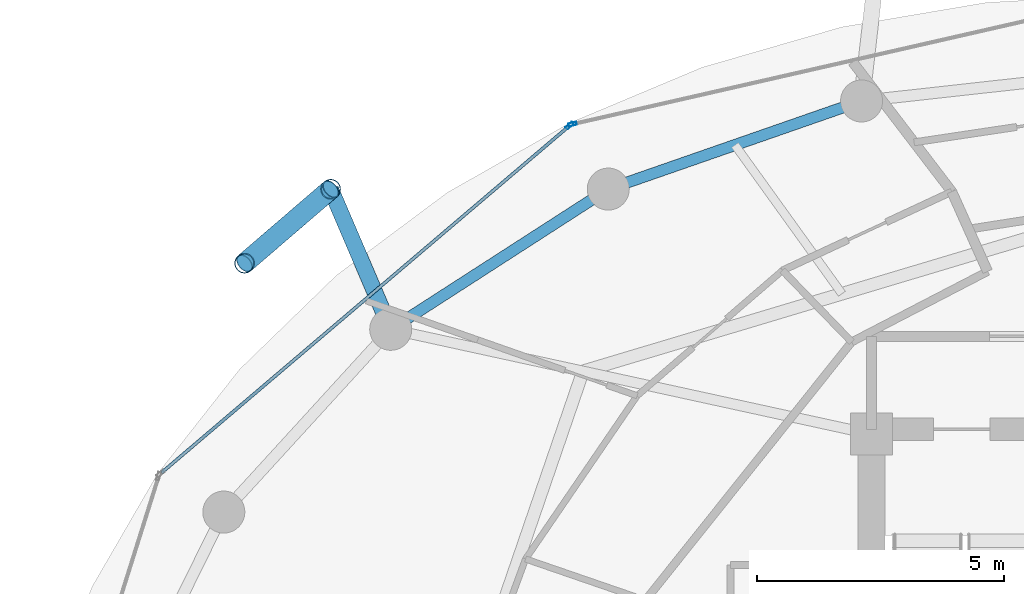
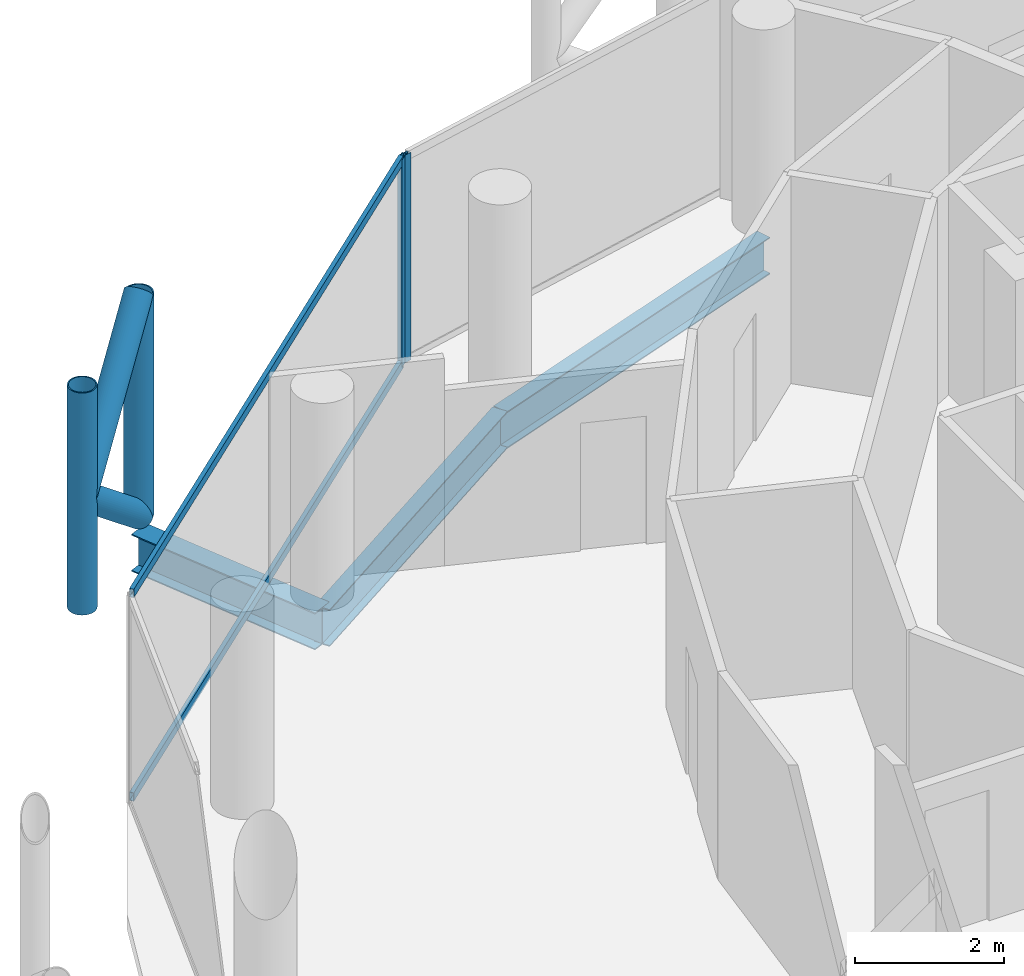
# One storey, part 18 of 27: 8 members, 3 beams, 2 elements without a shape of their own.
"""IFC4 building model written with IfcOpenShell, lengths in metres."""

from ifc_helpers import new_model, si_unit, direction, frame, origin, origin_2d, place, context, subcontext, project, spatial, hollow_rectangle, hollow_circle, i_section, extrude, material, layer, layer_set, material_profile, profile_set, type_object, element, aggregate, save


model = new_model("IFC4")

# Units and contexts
model_context = context("Model", 3, precision=1e-05, world=origin(), true_north=direction((0.0, 1.0)))
body_context = subcontext(model_context, "Body", "Model", "MODEL_VIEW")
ifc_project = project(units=[si_unit("LENGTHUNIT", "METRE"), si_unit("AREAUNIT", "SQUARE_METRE"), si_unit("VOLUMEUNIT", "CUBIC_METRE"), si_unit("PLANEANGLEUNIT", "RADIAN"), si_unit("MASSUNIT", "GRAM", prefix="KILO")], contexts=[model_context])

# Site, building, storey
site_placement = place(None, origin())
site = spatial("IfcSite", under=ifc_project, at=site_placement, CompositionType="ELEMENT")
building_placement = place(site_placement, origin())
building = spatial("IfcBuilding", under=site, at=building_placement, Name="Nuhasar Tower", CompositionType="ELEMENT")
storey_placement = place(building_placement, frame((0.0, 0.0, 208.14990234375)))
storey = spatial("IfcBuildingStorey", under=building, at=storey_placement, Name="L50", CompositionType="ELEMENT", Elevation=208.14990234375)

# Beams
ifc_material_1 = material(Name="Steel S355", Category="steel")
ifc_material_profile_1 = material_profile(ifc_material_1, i_section(OverallWidth=0.22802734375, OverallDepth=0.60791015625, WebThickness=0.01123046875, FlangeThickness=0.017333984375, at=origin_2d()), Name="W24X76")
ifc_profile_set_1 = profile_set([ifc_material_profile_1], Name="Steel S355")
beam_type_1 = type_object("IfcBeamType", Name="BM-RING-W24X76", PredefinedType="SPANDREL", material=ifc_profile_set_1)
beam_1_placement = place(storey_placement, frame((33.5, 44.0419921875, -0.5439453125), z_axis=(-0.944476764686, -0.328578211342, 0.0), x_axis=(0.328578211342, -0.944476764686, 0.0)))
element("IfcBeam", 1, at=beam_1_placement, inside=storey, type_object=beam_type_1, Name="L50 Perimeter Ring Spandrel 08", PredefinedType="SPANDREL", context=body_context, shape_type="SweptSolid", body=[
    extrude(i_section(OverallWidth=0.22802734375, OverallDepth=0.60791015625, WebThickness=0.01123046875, FlangeThickness=0.017333984375, at=origin_2d()), origin(), (0.0, 0.0, 1.0), 5.42626953125),
])
beam_2_placement = place(storey_placement, frame((28.375, 42.259033203125, -0.5439453125), z_axis=(-0.840502144969, -0.541808217272, 0.0), x_axis=(0.541808217272, -0.840502144969, 0.0)))
element("IfcBeam", 2, at=beam_2_placement, inside=storey, type_object=beam_type_1, Name="L50 Perimeter Ring Spandrel 09", PredefinedType="SPANDREL", context=body_context, shape_type="SweptSolid", body=[
    extrude(i_section(OverallWidth=0.22802734375, OverallDepth=0.60791015625, WebThickness=0.01123046875, FlangeThickness=0.017333984375, at=origin_2d()), origin(), (0.0, 0.0, 1.0), 5.236083984375),
])
ifc_material_profile_2 = material_profile(ifc_material_1, i_section(OverallWidth=0.323974609375, OverallDepth=0.611083984375, WebThickness=0.0126953125, FlangeThickness=0.01904296875, at=origin_2d()), Name="W24X104")
ifc_profile_set_2 = profile_set([ifc_material_profile_2], Name="Steel S355")
beam_type_2 = type_object("IfcBeamType", Name="BM-TIE-W24X104", PredefinedType="BEAM", material=ifc_profile_set_2)
beam_3_placement = place(storey_placement, frame((23.97412109375, 39.422119140625, -0.544921875), z_axis=(-0.393680429682, 0.919247365667, 0.0), x_axis=(-0.919247365667, -0.393680429682, 0.0)))
element("IfcBeam", 3, at=beam_3_placement, inside=storey, type_object=beam_type_2, Name="L50 Exoskeleton Node Tie Beam 05", PredefinedType="BEAM", context=body_context, shape_type="SweptSolid", body=[
    extrude(i_section(OverallWidth=0.323974609375, OverallDepth=0.611083984375, WebThickness=0.0126953125, FlangeThickness=0.01904296875, at=origin_2d()), origin(), (0.0, 0.0, 1.0), 3.083984375),
])

# Curtain wall, member
ifc_material_2 = material(Name="Aluminium 6063-T6", Category="aluminium")
ifc_layer = layer(ifc_material_2, 0.18994140625)
ifc_layer_set = layer_set([ifc_layer], Name="Aluminium 6063-T6")
curtain_wall_type = type_object("IfcCurtainWallType", Name="CW-Z3-RES", PredefinedType="NOTDEFINED", material=ifc_layer_set)
curtain_wall_1_placement = place(storey_placement, origin())
curtain_wall_1 = element("IfcCurtainWall", 4, at=curtain_wall_1_placement, inside=storey, type_object=curtain_wall_type, Name="L50 Unitised Curtain Wall 04", PredefinedType="NOTDEFINED")
ifc_material_profile_3 = material_profile(ifc_material_2, hollow_rectangle(XDim=0.06494140625, YDim=0.169921875, WallThickness=0.0048828125, at=origin_2d()), Name="CWM-4")
ifc_profile_set_3 = profile_set([ifc_material_profile_3], Name="Aluminium 6063-T6")
member_type_1 = type_object("IfcMemberType", Name="CW-MUL-S4", PredefinedType="MULLION", material=ifc_profile_set_3)
member_1_placement = place(storey_placement, frame((27.651611328125, 43.5732421875, 0.0), z_axis=(0.0, 0.0, 1.0), x_axis=(0.222243176313, -0.974991266926, 0.0)))
member_1 = element("IfcMember", 5, at=member_1_placement, type_object=member_type_1, Name="CW-Z3 mullion 2", PredefinedType="MULLION", context=body_context, shape_type="SweptSolid", body=[
    extrude(hollow_rectangle(XDim=0.06494140625, YDim=0.169921875, WallThickness=0.0048828125, at=origin_2d()), origin(), (0.0, 0.0, 1.0), 3.41015625),
])
aggregate(curtain_wall_1, [member_1])

# Curtain wall, members
curtain_wall_2_placement = place(storey_placement, origin())
curtain_wall_2 = element("IfcCurtainWall", 6, at=curtain_wall_2_placement, inside=storey, type_object=curtain_wall_type, Name="L50 Unitised Curtain Wall 05", PredefinedType="NOTDEFINED")
member_2_placement = place(storey_placement, frame((27.59521484375, 43.544921875, 0.0), z_axis=(0.0, 0.0, 1.0), x_axis=(0.64789521578, -0.761729472562, 0.0)))
member_2 = element("IfcMember", 7, at=member_2_placement, type_object=member_type_1, Name="CW-Z3 mullion 1", PredefinedType="MULLION", context=body_context, shape_type="SweptSolid", body=[
    extrude(hollow_rectangle(XDim=0.06494140625, YDim=0.169921875, WallThickness=0.0048828125, at=origin_2d()), origin(), (0.0, 0.0, 1.0), 3.41015625),
])
ifc_material_profile_4 = material_profile(ifc_material_2, hollow_rectangle(XDim=0.06494140625, YDim=0.139892578125, WallThickness=0.00439453125, at=origin_2d()), Name="CWT-4")
ifc_profile_set_4 = profile_set([ifc_material_profile_4], Name="Aluminium 6063-T6")
member_type_2 = type_object("IfcMemberType", Name="CW-TRN-S4", PredefinedType="USERDEFINED", material=ifc_profile_set_4)
member_3_placement = place(storey_placement, frame((27.570556640625, 43.52392578125, 0.03271484375), z_axis=(-0.761730809511, -0.647893643928, 0.0), x_axis=(0.647893643928, -0.761730809511, 0.0)))
member_3 = element("IfcMember", 8, at=member_3_placement, type_object=member_type_2, Name="CW-Z3 transom 1.1", ObjectType="TRANSOM", PredefinedType="USERDEFINED", context=body_context, shape_type="SweptSolid", body=[
    extrude(hollow_rectangle(XDim=0.06494140625, YDim=0.139892578125, WallThickness=0.00439453125, at=origin_2d()), origin(), (0.0, 0.0, 1.0), 10.806884765625),
])
member_4_placement = place(storey_placement, frame((27.570556640625, 43.52392578125, 3.377685546875), z_axis=(-0.761730809511, -0.647893643928, 0.0), x_axis=(0.647893643928, -0.761730809511, 0.0)))
member_4 = element("IfcMember", 9, at=member_4_placement, type_object=member_type_2, Name="CW-Z3 transom 1.2", ObjectType="TRANSOM", PredefinedType="USERDEFINED", context=body_context, shape_type="SweptSolid", body=[
    extrude(hollow_rectangle(XDim=0.06494140625, YDim=0.139892578125, WallThickness=0.00439453125, at=origin_2d()), origin(), (0.0, 0.0, 1.0), 10.806884765625),
])
aggregate(curtain_wall_2, [member_2, member_3, member_4])

# Members
ifc_material_3 = material(Name="Steel S460", Category="steel")
ifc_material_profile_5 = material_profile(ifc_material_3, hollow_circle(Radius=0.203125, WallThickness=0.01904296875, at=origin_2d()), Name="HSS406.4X19.1")
ifc_profile_set_5 = profile_set([ifc_material_profile_5], Name="Steel S460")
member_type_3 = type_object("IfcMemberType", Name="EXO-BRONZE-406", PredefinedType="BRACE", material=ifc_profile_set_5)
for number, where, z_axis, x_axis, name in (
    (10, (22.760009765625, 42.257080078125, 0.0), (0.0, 0.0, 1.0), (1.0, 0.0, 0.0), "L50 Exoskeleton Chord Column EC-05A"),
    (11, (21.01611328125, 40.758056640625, 0.0), (0.0, 0.0, 1.0), (1.0, 0.0, 0.0), "L50 Exoskeleton Chord Column EC-05B"),
):
    element("IfcMember", number, at=place(storey_placement, frame(where, z_axis=z_axis, x_axis=x_axis)), inside=storey, type_object=member_type_3, Name=name, PredefinedType="BRACE", context=body_context, shape_type="SweptSolid", body=[
        extrude(hollow_circle(Radius=0.203125, WallThickness=0.01904296875, at=origin_2d()), origin(), (0.0, 0.0, 1.0), 3.650146484375),
    ])
for number, where, z_axis, x_axis, name in (
    (12, (22.760009765625, 42.257080078125, 0.0), (-0.593987827832, -0.51058172517, 0.621678986543), (0.65185738425, -0.758341579104, 0.0), "L50 Bronze Diagrid Brace W1-05"),
    (13, (21.01611328125, 40.758056640625, 1.8251953125), (0.594018535389, 0.510608120858, 0.621627964725), (-0.65185738425, 0.758341579104, 0.0), "L50 Bronze Diagrid Brace W2-05"),
):
    element("IfcMember", number, at=place(storey_placement, frame(where, z_axis=z_axis, x_axis=x_axis)), inside=storey, type_object=member_type_3, Name=name, PredefinedType="BRACE", context=body_context, shape_type="SweptSolid", body=[
        extrude(hollow_circle(Radius=0.203125, WallThickness=0.01904296875, at=origin_2d()), origin(), (0.0, 0.0, 1.0), 2.935791015625),
    ])

save(model, "model.ifc")
